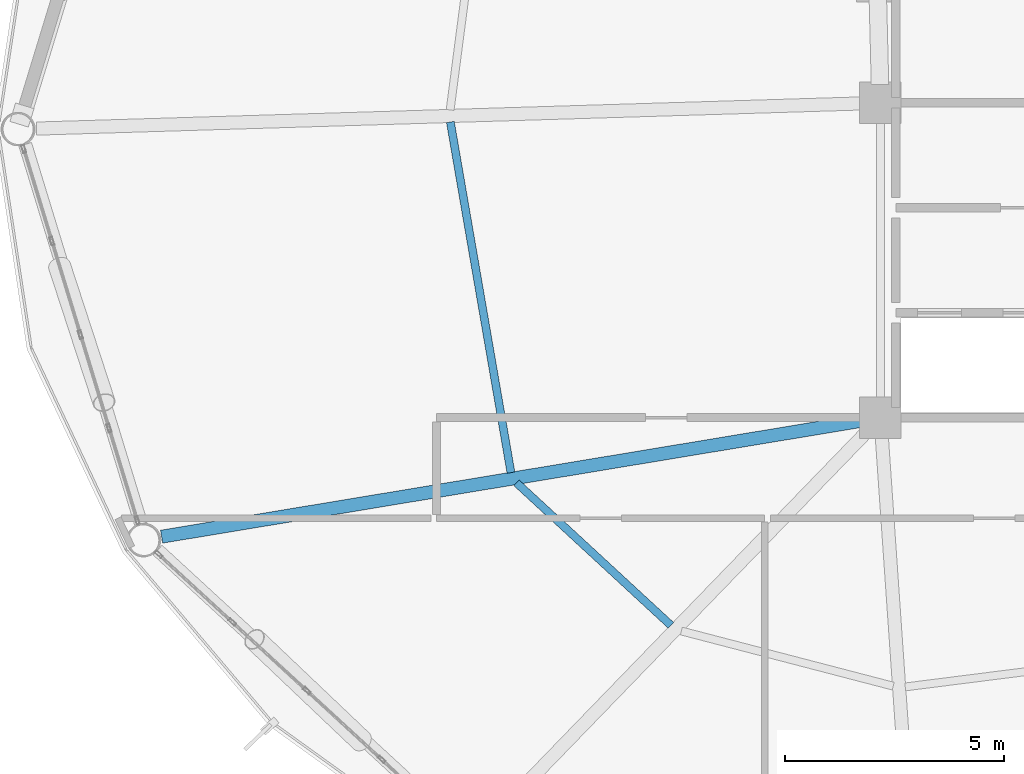
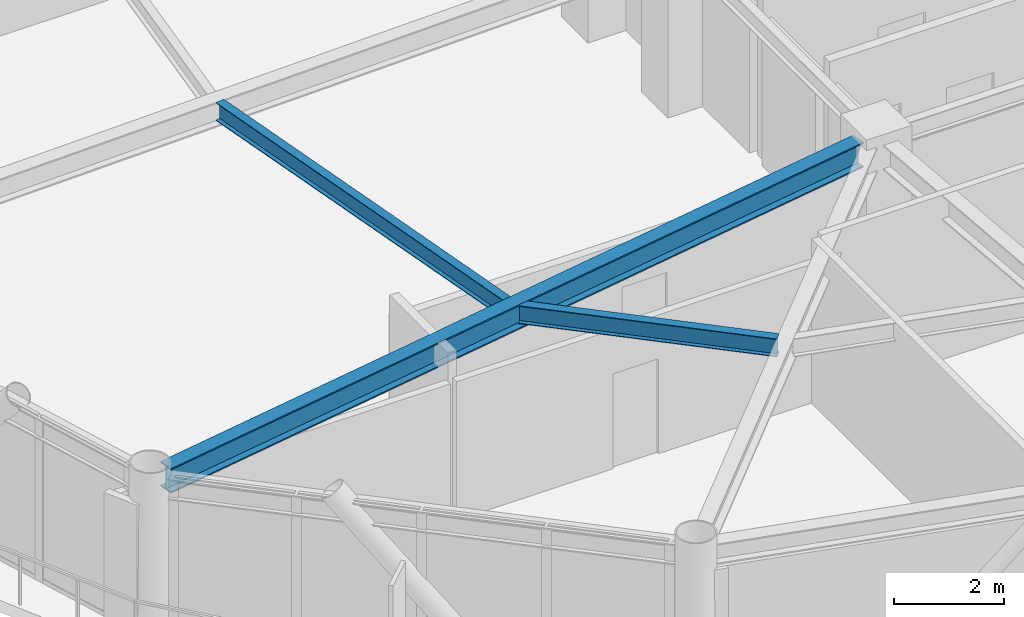
# One storey, part 6 of 24: 3 beams.
"""IFC4 building model written with IfcOpenShell, lengths in metres."""

from ifc_helpers import new_model, si_unit, direction, frame, origin, origin_2d, place, context, subcontext, project, spatial, i_section, extrude, material, material_profile, profile_set, type_object, element, save


model = new_model("IFC4")

# Units and contexts
model_context = context("Model", 3, precision=1e-05, world=origin(), true_north=direction((0.0, 1.0)))
body_context = subcontext(model_context, "Body", "Model", "MODEL_VIEW")
ifc_project = project(units=[si_unit("LENGTHUNIT", "METRE"), si_unit("AREAUNIT", "SQUARE_METRE"), si_unit("VOLUMEUNIT", "CUBIC_METRE"), si_unit("PLANEANGLEUNIT", "RADIAN"), si_unit("MASSUNIT", "GRAM", prefix="KILO")], contexts=[model_context])

# Site, building, storey
site_placement = place(None, origin())
site = spatial("IfcSite", under=ifc_project, at=site_placement, CompositionType="ELEMENT")
building_placement = place(site_placement, origin())
building = spatial("IfcBuilding", under=site, at=building_placement, Name="Varnakorn Sky Granary", CompositionType="ELEMENT")
storey_placement = place(building_placement, frame((0.0, 0.0, 161.699951171875)))
storey = spatial("IfcBuildingStorey", under=building, at=storey_placement, Name="L40", CompositionType="ELEMENT", Elevation=161.699951171875)

# Beams
ifc_material = material(Name="Steel S355JR", Category="steel")
ifc_material_profile_1 = material_profile(ifc_material, i_section(OverallWidth=0.300048828125, OverallDepth=0.550048828125, WebThickness=0.014892578125, FlangeThickness=0.029052734375, at=origin_2d()), Name="HE 550 B")
ifc_profile_set_1 = profile_set([ifc_material_profile_1], Name="Steel S355JR")
beam_type_1 = type_object("IfcBeamType", Name="BM-RAD-Z3", PredefinedType="BEAM", material=ifc_profile_set_1)
beam_1_placement = place(storey_placement, frame((-2.764404296875, -6.668701171875, 3.364990234375), z_axis=(-0.986572071109, -0.163326508893, 0.0), x_axis=(0.163326508893, -0.986572071109, 0.0)))
element("IfcBeam", 1, at=beam_1_placement, inside=storey, type_object=beam_type_1, Name="Radial Floor Girder RG08 L40", PredefinedType="BEAM", context=body_context, shape_type="SweptSolid", body=[
    extrude(i_section(OverallWidth=0.300048828125, OverallDepth=0.550048828125, WebThickness=0.014892578125, FlangeThickness=0.029052734375, at=origin_2d()), origin(), (0.0, 0.0, 1.0), 16.243896484375),
])
ifc_material_profile_2 = material_profile(ifc_material, i_section(OverallWidth=0.179931640625, OverallDepth=0.39990234375, WebThickness=0.008544921875, FlangeThickness=0.013427734375, at=origin_2d()), Name="IPE 400")
ifc_profile_set_2 = profile_set([ifc_material_profile_2], Name="Steel S355JR")
beam_type_2 = type_object("IfcBeamType", Name="BM-SEC-Z3", PredefinedType="BEAM", material=ifc_profile_set_2)
beam_2_placement = place(storey_placement, frame((-12.186767578125, 0.1611328125, 3.43994140625), z_axis=(0.170297740627, -0.985392652468, 0.0), x_axis=(0.985392652468, 0.170297740627, 0.0)))
element("IfcBeam", 2, at=beam_2_placement, inside=storey, type_object=beam_type_2, Name="Secondary Floor Chord Beam MSB07 L40", PredefinedType="BEAM", context=body_context, shape_type="SweptSolid", body=[
    extrude(i_section(OverallWidth=0.179931640625, OverallDepth=0.39990234375, WebThickness=0.008544921875, FlangeThickness=0.013427734375, at=origin_2d()), origin(), (0.0, 0.0, 1.0), 8.13720703125),
])
beam_3_placement = place(storey_placement, frame((-10.67431640625, -8.090087890625, 3.43994140625), z_axis=(0.734957282843, -0.678113406737, 0.0), x_axis=(0.678113406737, 0.734957282843, 0.0)))
element("IfcBeam", 3, at=beam_3_placement, inside=storey, type_object=beam_type_2, Name="Secondary Floor Chord Beam MSB08 L40", PredefinedType="BEAM", context=body_context, shape_type="SweptSolid", body=[
    extrude(i_section(OverallWidth=0.179931640625, OverallDepth=0.39990234375, WebThickness=0.008544921875, FlangeThickness=0.013427734375, at=origin_2d()), origin(), (0.0, 0.0, 1.0), 4.805908203125),
])

save(model, "model.ifc")
